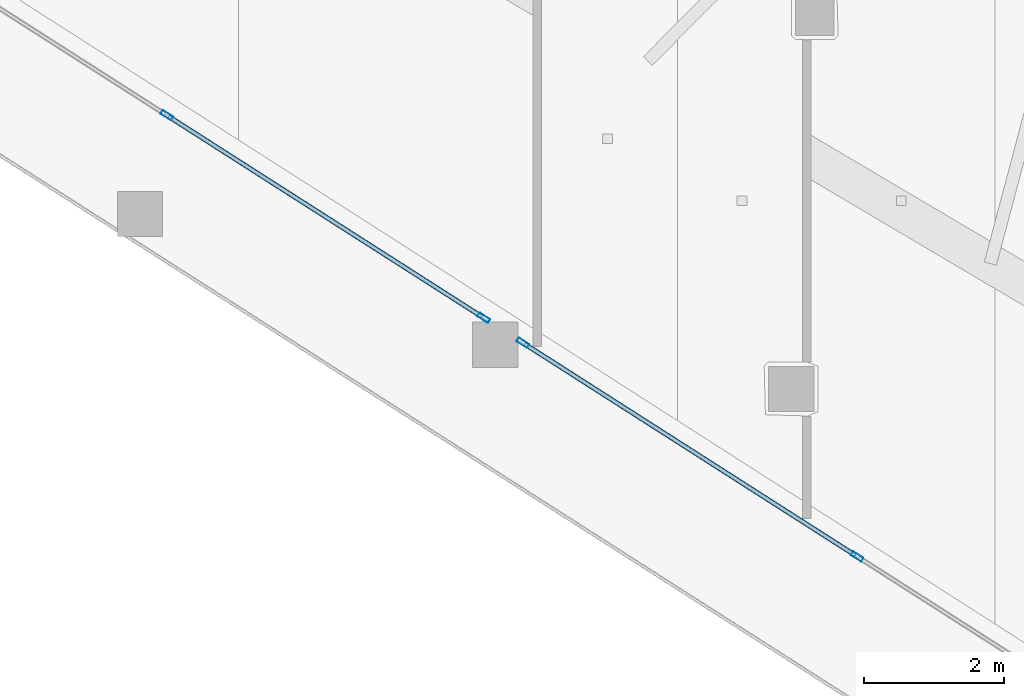
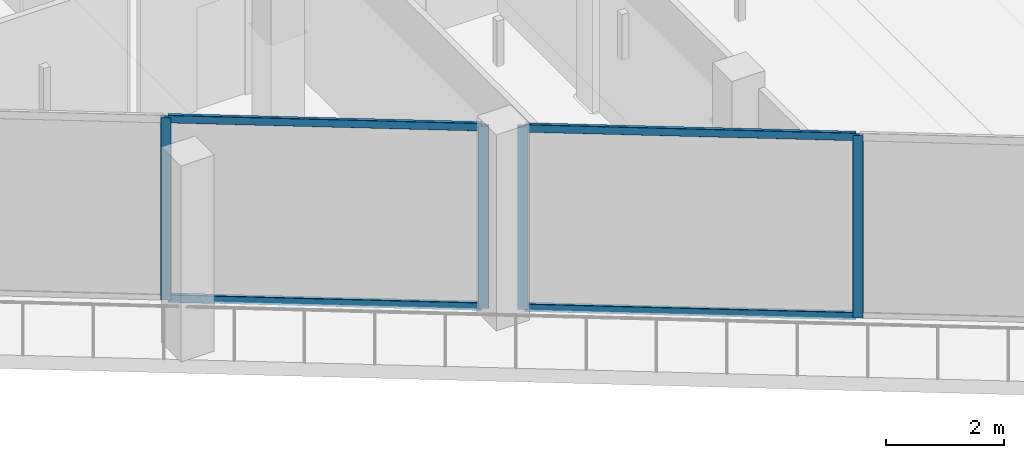
# One storey, part 2 of 44: 8 members, 2 elements without a shape of their own.
"""IFC4 building model written with IfcOpenShell, lengths in metres."""

from ifc_helpers import new_model, si_unit, direction, frame, origin, origin_2d, place, context, subcontext, project, spatial, hollow_rectangle, extrude, material, layer, layer_set, material_profile, profile_set, type_object, element, aggregate, save


model = new_model("IFC4")

# Units and contexts
model_context = context("Model", 3, precision=1e-05, world=origin(), true_north=direction((0.0, 1.0)))
body_context = subcontext(model_context, "Body", "Model", "MODEL_VIEW")
ifc_project = project(units=[si_unit("LENGTHUNIT", "METRE"), si_unit("AREAUNIT", "SQUARE_METRE"), si_unit("VOLUMEUNIT", "CUBIC_METRE"), si_unit("PLANEANGLEUNIT", "RADIAN"), si_unit("MASSUNIT", "GRAM", prefix="KILO")], contexts=[model_context])

# Site, building, storey
site_placement = place(None, origin())
site = spatial("IfcSite", under=ifc_project, at=site_placement, CompositionType="ELEMENT")
building_placement = place(site_placement, origin())
building = spatial("IfcBuilding", under=site, at=building_placement, Name="Qorvath Tower", CompositionType="ELEMENT")
storey_placement = place(building_placement, frame((0.0, 0.0, 113.85009765625)))
storey = spatial("IfcBuildingStorey", under=building, at=storey_placement, Name="L25", CompositionType="ELEMENT", Elevation=113.85009765625)

# Curtain wall, members
ifc_material_1 = material(Name="Anodised aluminium and triple low-E glass", Category="aluminium")
ifc_layer = layer(ifc_material_1, 0.179931640625)
ifc_layer_set = layer_set([ifc_layer], Name="CW-SYS-2")
curtain_wall_type = type_object("IfcCurtainWallType", Name="CW-SYS-2", PredefinedType="NOTDEFINED", material=ifc_layer_set)
curtain_wall_1_placement = place(storey_placement, origin())
curtain_wall_1 = element("IfcCurtainWall", 1, at=curtain_wall_1_placement, inside=storey, type_object=curtain_wall_type, Name="Curtain Wall CW-2 CW-T-L25-2.1", PredefinedType="NOTDEFINED")
ifc_material_2 = material(Name="Anodised aluminium 6063-T6", Category="aluminium")
ifc_material_profile_1 = material_profile(ifc_material_2, hollow_rectangle(XDim=0.06494140625, YDim=0.179931640625, WallThickness=0.00341796875, InnerFilletRadius=0.00341796875, OuterFilletRadius=0.007080078125, at=origin_2d()), Name="CWM 180x65")
ifc_profile_set_1 = profile_set([ifc_material_profile_1], Name="Anodised aluminium 6063-T6")
member_type_1 = type_object("IfcMemberType", Name="CWM-180", PredefinedType="MULLION", material=ifc_profile_set_1)
member_1_placement = place(storey_placement, frame((-39.94775390625, -15.54443359375, 0.0), z_axis=(0.0, 0.0, 1.0), x_axis=(0.538529946269, 0.84260637131, 0.0)))
member_1 = element("IfcMember", 2, at=member_1_placement, type_object=member_type_1, Name="CW-2 mullion 5", PredefinedType="MULLION", context=body_context, shape_type="SweptSolid", body=[
    extrude(hollow_rectangle(XDim=0.06494140625, YDim=0.179931640625, WallThickness=0.00341796875, InnerFilletRadius=0.00341796875, OuterFilletRadius=0.007080078125, at=origin_2d()), origin(), (0.0, 0.0, 1.0), 3.77001953125),
])
member_2_placement = place(storey_placement, frame((-35.414306640625, -18.441650390625, 0.0), z_axis=(0.0, 0.0, 1.0), x_axis=(0.538529946269, 0.84260637131, 0.0)))
member_2 = element("IfcMember", 3, at=member_2_placement, type_object=member_type_1, Name="CW-2 mullion 6", PredefinedType="MULLION", context=body_context, shape_type="SweptSolid", body=[
    extrude(hollow_rectangle(XDim=0.06494140625, YDim=0.179931640625, WallThickness=0.00341796875, InnerFilletRadius=0.00341796875, OuterFilletRadius=0.007080078125, at=origin_2d()), origin(), (0.0, 0.0, 1.0), 3.77001953125),
])

curtain_wall_2_placement = place(storey_placement, origin())
curtain_wall_2 = element("IfcCurtainWall", 4, at=curtain_wall_2_placement, inside=storey, type_object=curtain_wall_type, Name="Curtain Wall CW-2 CW-T-L25-2.2", PredefinedType="NOTDEFINED")
member_3_placement = place(storey_placement, frame((-34.854248046875, -18.7998046875, 0.0), z_axis=(0.0, 0.0, 1.0), x_axis=(0.538538275895, 0.842601047588, 0.0)))
member_3 = element("IfcMember", 5, at=member_3_placement, type_object=member_type_1, Name="CW-2 mullion 1", PredefinedType="MULLION", context=body_context, shape_type="SweptSolid", body=[
    extrude(hollow_rectangle(XDim=0.06494140625, YDim=0.179931640625, WallThickness=0.00341796875, InnerFilletRadius=0.00341796875, OuterFilletRadius=0.007080078125, at=origin_2d()), origin(), (0.0, 0.0, 1.0), 3.77001953125),
])
member_4_placement = place(storey_placement, frame((-30.0712890625, -21.856689453125, 0.0), z_axis=(0.0, 0.0, 1.0), x_axis=(0.538538275895, 0.842601047588, 0.0)))
member_4 = element("IfcMember", 6, at=member_4_placement, type_object=member_type_1, Name="CW-2 mullion 2", PredefinedType="MULLION", context=body_context, shape_type="SweptSolid", body=[
    extrude(hollow_rectangle(XDim=0.06494140625, YDim=0.179931640625, WallThickness=0.00341796875, InnerFilletRadius=0.00341796875, OuterFilletRadius=0.007080078125, at=origin_2d()), origin(), (0.0, 0.0, 1.0), 3.77001953125),
])

# Member
ifc_material_3 = material(Name="Anodised aluminium 6063-T6", Category="aluminium")
ifc_material_profile_2 = material_profile(ifc_material_3, hollow_rectangle(XDim=0.06494140625, YDim=0.159912109375, WallThickness=0.00341796875, InnerFilletRadius=0.00341796875, OuterFilletRadius=0.007080078125, at=origin_2d()), Name="CWT 160x65")
ifc_profile_set_2 = profile_set([ifc_material_profile_2], Name="Anodised aluminium 6063-T6")
member_type_2 = type_object("IfcMemberType", Name="CWT-160", PredefinedType="USERDEFINED", material=ifc_profile_set_2)
member_5_placement = place(storey_placement, frame((-39.92041015625, -15.561767578125, 0.032470703125), z_axis=(0.842600735632, -0.538538763984, 0.0), x_axis=(0.538538763984, 0.842600735632, 0.0)))
member_5 = element("IfcMember", 7, at=member_5_placement, type_object=member_type_2, Name="CW-2 transom 5.1", ObjectType="TRANSOM", PredefinedType="USERDEFINED", context=body_context, shape_type="SweptSolid", body=[
    extrude(hollow_rectangle(XDim=0.06494140625, YDim=0.159912109375, WallThickness=0.00341796875, InnerFilletRadius=0.00341796875, OuterFilletRadius=0.007080078125, at=origin_2d()), origin(), (0.0, 0.0, 1.0), 5.3154296875),
])

member_6_placement = place(storey_placement, frame((-39.92041015625, -15.561767578125, 3.737548828125), z_axis=(0.842600735632, -0.538538763984, 0.0), x_axis=(0.538538763984, 0.842600735632, 0.0)))
member_6 = element("IfcMember", 8, at=member_6_placement, type_object=member_type_2, Name="CW-2 transom 5.2", ObjectType="TRANSOM", PredefinedType="USERDEFINED", context=body_context, shape_type="SweptSolid", body=[
    extrude(hollow_rectangle(XDim=0.06494140625, YDim=0.159912109375, WallThickness=0.00341796875, InnerFilletRadius=0.00341796875, OuterFilletRadius=0.007080078125, at=origin_2d()), origin(), (0.0, 0.0, 1.0), 5.3154296875),
])

aggregate(curtain_wall_1, [member_1, member_2, member_5, member_6])

member_7_placement = place(storey_placement, frame((-34.826904296875, -18.817138671875, 0.032470703125), z_axis=(0.842604679788, -0.538532592885, 0.0), x_axis=(0.538532592885, 0.842604679788, 0.0)))
member_7 = element("IfcMember", 9, at=member_7_placement, type_object=member_type_2, Name="CW-2 transom 1.1", ObjectType="TRANSOM", PredefinedType="USERDEFINED", context=body_context, shape_type="SweptSolid", body=[
    extrude(hollow_rectangle(XDim=0.06494140625, YDim=0.159912109375, WallThickness=0.00341796875, InnerFilletRadius=0.00341796875, OuterFilletRadius=0.007080078125, at=origin_2d()), origin(), (0.0, 0.0, 1.0), 5.611572265625),
])

member_8_placement = place(storey_placement, frame((-34.826904296875, -18.817138671875, 3.737548828125), z_axis=(0.842604679788, -0.538532592885, 0.0), x_axis=(0.538532592885, 0.842604679788, 0.0)))
member_8 = element("IfcMember", 10, at=member_8_placement, type_object=member_type_2, Name="CW-2 transom 1.2", ObjectType="TRANSOM", PredefinedType="USERDEFINED", context=body_context, shape_type="SweptSolid", body=[
    extrude(hollow_rectangle(XDim=0.06494140625, YDim=0.159912109375, WallThickness=0.00341796875, InnerFilletRadius=0.00341796875, OuterFilletRadius=0.007080078125, at=origin_2d()), origin(), (0.0, 0.0, 1.0), 5.611572265625),
])

aggregate(curtain_wall_2, [member_3, member_4, member_7, member_8])

save(model, "model.ifc")
